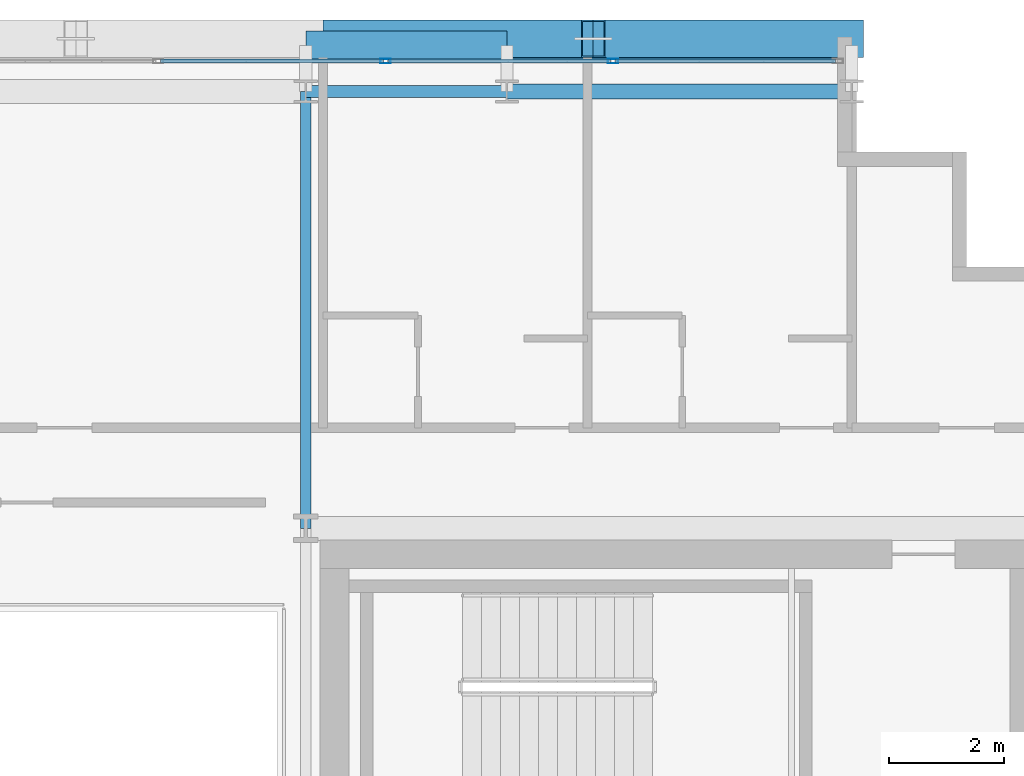
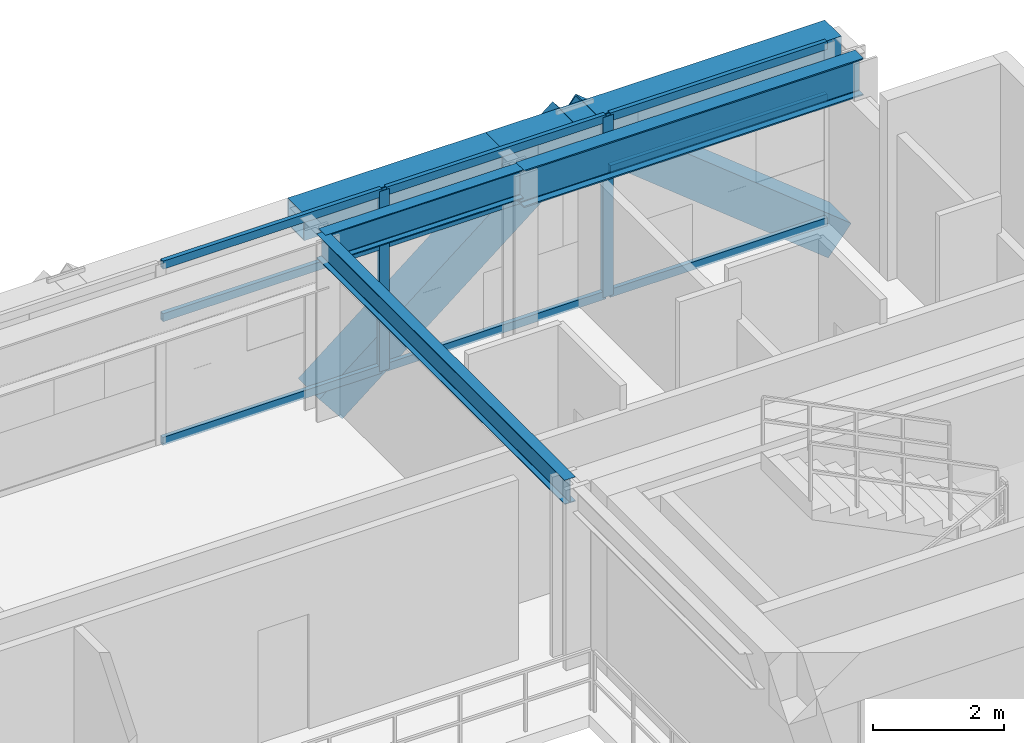
# One storey, part 18 of 31: 13 members, 5 beams, 1 element without a shape of its own.
"""IFC4 building model written with IfcOpenShell, lengths in metres."""

from ifc_helpers import new_model, si_unit, direction, frame, origin, origin_2d, place, context, subcontext, project, spatial, hollow_rectangle, i_section, extrude, source, transform, mapped, material, layer, layer_set, material_profile, profile_set, type_object, element, aggregate, save


model = new_model("IFC4")

# Units and contexts
model_context = context("Model", 3, precision=1e-05, world=origin(), true_north=direction((0.0, 1.0)))
body_context = subcontext(model_context, "Body", "Model", "MODEL_VIEW")
ifc_project = project(units=[si_unit("LENGTHUNIT", "METRE"), si_unit("AREAUNIT", "SQUARE_METRE"), si_unit("VOLUMEUNIT", "CUBIC_METRE"), si_unit("PLANEANGLEUNIT", "RADIAN"), si_unit("MASSUNIT", "GRAM", prefix="KILO")], contexts=[model_context])

# Site, building, storey
site_placement = place(None, origin())
site = spatial("IfcSite", under=ifc_project, at=site_placement, CompositionType="ELEMENT")
building_placement = place(site_placement, origin())
building = spatial("IfcBuilding", under=site, at=building_placement, Name="Ocotamira Hotel", CompositionType="ELEMENT")
storey_placement = place(building_placement, frame((0.0, 0.0, 174.0)))
storey = spatial("IfcBuildingStorey", under=building, at=storey_placement, Name="L43", CompositionType="ELEMENT", Elevation=174.0)

# Beams
ifc_material_1 = material(Name="Steel ASTM A992 Grade 50", Category="steel")
ifc_material_profile_1 = material_profile(ifc_material_1, i_section(OverallWidth=0.256103515625, OverallDepth=0.693115234375, WebThickness=0.014404296875, FlangeThickness=0.023681640625, FilletRadius=0.01611328125, at=origin_2d()), Name="W27X114")
ifc_profile_set_1 = profile_set([ifc_material_profile_1], Name="Steel ASTM A992 Grade 50")
beam_type_1 = type_object("IfcBeamType", Name="BM-PRIM-W27X114", PredefinedType="BEAM", material=ifc_profile_set_1)
shared_shape_1 = source(origin(), body_context, "Body", "SweptSolid", [
    extrude(i_section(OverallWidth=0.256103515625, OverallDepth=0.693115234375, WebThickness=0.014404296875, FlangeThickness=0.023681640625, FilletRadius=0.01611328125, at=origin_2d()), origin(), (0.0, 0.0, 1.0), 6.0),
])
beam_1_placement = place(storey_placement, frame((44.0, 45.050048828125, 3.0234375), z_axis=(1.0, 0.0, 0.0), x_axis=(0.0, 1.0, 0.0)))
element("IfcBeam", 1, at=beam_1_placement, inside=storey, type_object=beam_type_1, Name="L43 Girder Y45.05 X44-50", PredefinedType="BEAM", context=body_context, shape_type="MappedRepresentation", body=[
    mapped(shared_shape_1, transform((0.0, 0.0, 0.0), scale=1.0)),
])
ifc_material_profile_2 = material_profile(ifc_material_1, i_section(OverallWidth=0.2099609375, OverallDepth=0.537109375, WebThickness=0.010986328125, FlangeThickness=0.017333984375, FilletRadius=0.012939453125, at=origin_2d()), Name="W21X68")
ifc_profile_set_2 = profile_set([ifc_material_profile_2], Name="Steel ASTM A992 Grade 50")
beam_type_2 = type_object("IfcBeamType", Name="BM-SEC-W21X68", PredefinedType="JOIST", material=ifc_profile_set_2)
shared_shape_2 = source(origin(), body_context, "Body", "SweptSolid", [
    extrude(i_section(OverallWidth=0.2099609375, OverallDepth=0.537109375, WebThickness=0.010986328125, FlangeThickness=0.017333984375, FilletRadius=0.012939453125, at=origin_2d()), origin(), (0.0, 0.0, 1.0), 3.5),
])
beam_2_placement = place(storey_placement, frame((40.5, 45.050048828125, 3.1015625), z_axis=(1.0, 0.0, 0.0), x_axis=(0.0, 1.0, 0.0)))
element("IfcBeam", 2, at=beam_2_placement, inside=storey, type_object=beam_type_2, Name="L43 Girder Y45.05 X40.5-44", PredefinedType="JOIST", context=body_context, shape_type="MappedRepresentation", body=[
    mapped(shared_shape_2, transform((0.0, 0.0, 0.0), scale=1.0)),
])
ifc_material_2 = material(Name="Steel ASTM A500 Grade C", Category="steel")
ifc_material_profile_3 = material_profile(ifc_material_2, hollow_rectangle(XDim=0.5, YDim=0.5, WallThickness=0.02001953125, at=origin_2d()), Name="HSS500X500X20")
ifc_profile_set_3 = profile_set([ifc_material_profile_3], Name="Steel ASTM A500 Grade C")
beam_type_3 = type_object("IfcBeamType", Name="BM-SPAN-HSS500", PredefinedType="USERDEFINED", material=ifc_profile_set_3)
shared_shape_3 = source(origin(), body_context, "Body", "SweptSolid", [
    extrude(hollow_rectangle(XDim=0.5, YDim=0.5, WallThickness=0.02001953125, at=origin_2d()), origin(), (0.0, 0.0, 1.0), 6.0),
])
beam_3_placement = place(storey_placement, frame((44.0, 45.85009765625, 3.1201171875), z_axis=(1.0, 0.0, 0.0), x_axis=(0.0, 1.0, 0.0)))
element("IfcBeam", 3, at=beam_3_placement, inside=storey, type_object=beam_type_3, Name="L43 Edge Spandrel N X44-50", ObjectType="SPANDREL", PredefinedType="USERDEFINED", context=body_context, shape_type="MappedRepresentation", body=[
    mapped(shared_shape_3, transform((0.0, 0.0, 0.0), scale=1.0)),
])
shared_shape_4 = source(origin(), body_context, "Body", "SweptSolid", [
    extrude(hollow_rectangle(XDim=0.5, YDim=0.5, WallThickness=0.02001953125, at=origin_2d()), origin(), (0.0, 0.0, 1.0), 3.5),
])
beam_4_placement = place(storey_placement, frame((40.5, 45.85009765625, 3.1201171875), z_axis=(1.0, 0.0, 0.0), x_axis=(0.0, 1.0, 0.0)))
element("IfcBeam", 4, at=beam_4_placement, inside=storey, type_object=beam_type_3, Name="L43 Edge Spandrel N X40.5-44", ObjectType="SPANDREL", PredefinedType="USERDEFINED", context=body_context, shape_type="MappedRepresentation", body=[
    mapped(shared_shape_4, transform((0.0, 0.0, 0.0), scale=1.0)),
])
ifc_material_profile_4 = material_profile(ifc_material_1, i_section(OverallWidth=0.18994140625, OverallDepth=0.45703125, WebThickness=0.009033203125, FlangeThickness=0.014404296875, FilletRadius=0.010009765625, at=origin_2d()), Name="W18X50")
ifc_profile_set_4 = profile_set([ifc_material_profile_4], Name="Steel ASTM A992 Grade 50")
beam_type_4 = type_object("IfcBeamType", Name="BM-SEC-W18X50", PredefinedType="JOIST", material=ifc_profile_set_4)
shared_shape_5 = source(origin(), body_context, "Body", "SweptSolid", [
    extrude(i_section(OverallWidth=0.18994140625, OverallDepth=0.45703125, WebThickness=0.009033203125, FlangeThickness=0.014404296875, FilletRadius=0.010009765625, at=origin_2d()), origin(), (0.0, 0.0, 1.0), 7.60009765625),
])
beam_5_placement = place(storey_placement, frame((40.5, 37.449951171875, 3.1416015625), z_axis=(0.0, 1.0, 0.0), x_axis=(-1.0, 0.0, 0.0)))
element("IfcBeam", 5, at=beam_5_placement, inside=storey, type_object=beam_type_4, Name="L43 Beam X40.5 Y37.45-45.05", PredefinedType="JOIST", context=body_context, shape_type="MappedRepresentation", body=[
    mapped(shared_shape_5, transform((0.0, 0.0, 0.0), scale=1.0)),
])

# Members
ifc_material_3 = material(Name="Pale-metal coated steel ASTM A913 Grade 65", Category="steel")
ifc_material_profile_5 = material_profile(ifc_material_3, hollow_rectangle(XDim=0.64990234375, YDim=0.64990234375, WallThickness=0.02197265625, at=origin_2d()), Name="BOX650X650X22")
ifc_profile_set_5 = profile_set([ifc_material_profile_5], Name="Pale-metal coated steel ASTM A913 Grade 65")
member_type_1 = type_object("IfcMemberType", Name="MEM-EXO-BOX650", PredefinedType="BRACE", material=ifc_profile_set_5)
shared_shape_6 = source(origin(), body_context, "Body", "SweptSolid", [
    extrude(hollow_rectangle(XDim=0.64990234375, YDim=0.64990234375, WallThickness=0.02197265625, at=origin_2d()), origin(), (0.0, 0.0, 1.0), 5.762939453125),
])
for number, where, z_axis, x_axis, name in (
    (6, (41.0, 45.969970703125, -0.47998046875), (0.780860543151, 0.0, 0.624705380279), (0.0, 1.0, 0.0), "L43 Exoskeleton Diagrid N3.1"),
    (7, (50.0, 45.969970703125, -0.47998046875), (-0.780860543151, 0.0, 0.624705380279), (0.0, -1.0, 0.0), "L43 Exoskeleton Diagrid N3.2"),
):
    element("IfcMember", number, at=place(storey_placement, frame(where, z_axis=z_axis, x_axis=x_axis)), inside=storey, type_object=member_type_1, Name=name, PredefinedType="BRACE", context=body_context, shape_type="MappedRepresentation", body=[
        mapped(shared_shape_6, transform((0.0, 0.0, 0.0), scale=1.0)),
    ])

# Curtain wall, members
ifc_material_4 = material(Name="Anodised pale-metal aluminium and solar glass", Category="aluminium")
ifc_layer = layer(ifc_material_4, 0.199951171875)
ifc_layer_set = layer_set([ifc_layer], Name="Anodised pale-metal aluminium and solar glass")
curtain_wall_type = type_object("IfcCurtainWallType", Name="CW-SYS4-Z3", PredefinedType="NOTDEFINED", material=ifc_layer_set)
curtain_wall_placement = place(storey_placement, origin())
curtain_wall = element("IfcCurtainWall", 8, at=curtain_wall_placement, inside=storey, type_object=curtain_wall_type, Name="L43 Curtain Wall CW-4 CW-L43-N", PredefinedType="NOTDEFINED")
ifc_material_5 = material(Name="Anodised pale-metal aluminium 6063-T6", Category="aluminium")
ifc_material_profile_6 = material_profile(ifc_material_5, hollow_rectangle(XDim=0.074951171875, YDim=0.14990234375, WallThickness=0.006103515625, at=origin_2d()), Name="HSS150X75X6")
ifc_profile_set_6 = profile_set([ifc_material_profile_6], Name="Anodised pale-metal aluminium 6063-T6")
member_type_2 = type_object("IfcMemberType", Name="CWT-150X75", PredefinedType="USERDEFINED", material=ifc_profile_set_6)
shared_shape_7 = source(origin(), body_context, "Body", "SweptSolid", [
    extrude(hollow_rectangle(XDim=0.074951171875, YDim=0.14990234375, WallThickness=0.006103515625, at=origin_2d()), origin(), (0.0, 0.0, 1.0), 3.83544921875),
])
member_1_placement = place(storey_placement, frame((45.884521484375, 45.580078125, 0.03759765625), z_axis=(1.0, 0.0, 0.0), x_axis=(0.0, 1.0, 0.0)))
member_1 = element("IfcMember", 9, at=member_1_placement, type_object=member_type_2, Name="CW-4 transom 9.1", ObjectType="TRANSOM", PredefinedType="USERDEFINED", context=body_context, shape_type="MappedRepresentation", body=[
    mapped(shared_shape_7, transform((0.0, 0.0, 0.0), scale=1.0)),
])
member_2_placement = place(storey_placement, frame((45.884521484375, 45.580078125, 2.35009765625), z_axis=(1.0, 0.0, 0.0), x_axis=(0.0, 1.0, 0.0)))
member_2 = element("IfcMember", 10, at=member_2_placement, type_object=member_type_2, Name="CW-4 transom 9.2", ObjectType="TRANSOM", PredefinedType="USERDEFINED", context=body_context, shape_type="MappedRepresentation", body=[
    mapped(shared_shape_7, transform((0.0, 0.0, 0.0), scale=1.0)),
])
member_3_placement = place(storey_placement, frame((45.884521484375, 45.580078125, 3.33251953125), z_axis=(1.0, 0.0, 0.0), x_axis=(0.0, 1.0, 0.0)))
member_3 = element("IfcMember", 11, at=member_3_placement, type_object=member_type_2, Name="CW-4 transom 9.3", ObjectType="TRANSOM", PredefinedType="USERDEFINED", context=body_context, shape_type="MappedRepresentation", body=[
    mapped(shared_shape_7, transform((0.0, 0.0, 0.0), scale=1.0)),
])
shared_shape_8 = source(origin(), body_context, "Body", "SweptSolid", [
    extrude(hollow_rectangle(XDim=0.074951171875, YDim=0.14990234375, WallThickness=0.006103515625, at=origin_2d()), origin(), (0.0, 0.0, 1.0), 3.87548828125),
])
member_4_placement = place(storey_placement, frame((37.973388671875, 45.580078125, 0.03759765625), z_axis=(1.0, 0.0, 0.0), x_axis=(0.0, 1.0, 0.0)))
member_4 = element("IfcMember", 12, at=member_4_placement, type_object=member_type_2, Name="CW-4 transom 7.1", ObjectType="TRANSOM", PredefinedType="USERDEFINED", context=body_context, shape_type="MappedRepresentation", body=[
    mapped(shared_shape_8, transform((0.0, 0.0, 0.0), scale=1.0)),
])
member_5_placement = place(storey_placement, frame((37.973388671875, 45.580078125, 2.35009765625), z_axis=(1.0, 0.0, 0.0), x_axis=(0.0, 1.0, 0.0)))
member_5 = element("IfcMember", 13, at=member_5_placement, type_object=member_type_2, Name="CW-4 transom 7.2", ObjectType="TRANSOM", PredefinedType="USERDEFINED", context=body_context, shape_type="MappedRepresentation", body=[
    mapped(shared_shape_8, transform((0.0, 0.0, 0.0), scale=1.0)),
])
member_6_placement = place(storey_placement, frame((37.973388671875, 45.580078125, 3.33251953125), z_axis=(1.0, 0.0, 0.0), x_axis=(0.0, 1.0, 0.0)))
member_6 = element("IfcMember", 14, at=member_6_placement, type_object=member_type_2, Name="CW-4 transom 7.3", ObjectType="TRANSOM", PredefinedType="USERDEFINED", context=body_context, shape_type="MappedRepresentation", body=[
    mapped(shared_shape_8, transform((0.0, 0.0, 0.0), scale=1.0)),
])
member_7_placement = place(storey_placement, frame((41.928955078125, 45.580078125, 0.03759765625), z_axis=(1.0, 0.0, 0.0), x_axis=(0.0, 1.0, 0.0)))
member_7 = element("IfcMember", 15, at=member_7_placement, type_object=member_type_2, Name="CW-4 transom 8.1", ObjectType="TRANSOM", PredefinedType="USERDEFINED", context=body_context, shape_type="MappedRepresentation", body=[
    mapped(shared_shape_8, transform((0.0, 0.0, 0.0), scale=1.0)),
])
member_8_placement = place(storey_placement, frame((41.928955078125, 45.580078125, 2.35009765625), z_axis=(1.0, 0.0, 0.0), x_axis=(0.0, 1.0, 0.0)))
member_8 = element("IfcMember", 16, at=member_8_placement, type_object=member_type_2, Name="CW-4 transom 8.2", ObjectType="TRANSOM", PredefinedType="USERDEFINED", context=body_context, shape_type="MappedRepresentation", body=[
    mapped(shared_shape_8, transform((0.0, 0.0, 0.0), scale=1.0)),
])
member_9_placement = place(storey_placement, frame((41.928955078125, 45.580078125, 3.33251953125), z_axis=(1.0, 0.0, 0.0), x_axis=(0.0, 1.0, 0.0)))
member_9 = element("IfcMember", 17, at=member_9_placement, type_object=member_type_2, Name="CW-4 transom 8.3", ObjectType="TRANSOM", PredefinedType="USERDEFINED", context=body_context, shape_type="MappedRepresentation", body=[
    mapped(shared_shape_8, transform((0.0, 0.0, 0.0), scale=1.0)),
])
ifc_material_profile_7 = material_profile(ifc_material_5, hollow_rectangle(XDim=0.080078125, YDim=0.179931640625, WallThickness=0.006103515625, at=origin_2d()), Name="HSS180X80X6")
ifc_profile_set_7 = profile_set([ifc_material_profile_7], Name="Anodised pale-metal aluminium 6063-T6")
member_type_3 = type_object("IfcMemberType", Name="CWM-180X75", PredefinedType="MULLION", material=ifc_profile_set_7)
shared_shape_9 = source(origin(), body_context, "Body", "SweptSolid", [
    extrude(hollow_rectangle(XDim=0.080078125, YDim=0.179931640625, WallThickness=0.006103515625, at=origin_2d()), origin(), (0.0, 0.0, 1.0), 3.3701171875),
])
member_10_placement = place(storey_placement, frame((41.888916015625, 45.580078125, 0.0), z_axis=(0.0, 0.0, 1.0), x_axis=(0.0, 1.0, 0.0)))
member_10 = element("IfcMember", 18, at=member_10_placement, type_object=member_type_3, Name="CW-4 mullion 8", PredefinedType="MULLION", context=body_context, shape_type="MappedRepresentation", body=[
    mapped(shared_shape_9, transform((0.0, 0.0, 0.0), scale=1.0)),
])
member_11_placement = place(storey_placement, frame((45.844482421875, 45.580078125, 0.0), z_axis=(0.0, 0.0, 1.0), x_axis=(0.0, 1.0, 0.0)))
member_11 = element("IfcMember", 19, at=member_11_placement, type_object=member_type_3, Name="CW-4 mullion 9", PredefinedType="MULLION", context=body_context, shape_type="MappedRepresentation", body=[
    mapped(shared_shape_9, transform((0.0, 0.0, 0.0), scale=1.0)),
])
aggregate(curtain_wall, [member_10, member_11, member_4, member_5, member_6, member_7, member_8, member_9, member_1, member_2, member_3])

save(model, "model.ifc")
